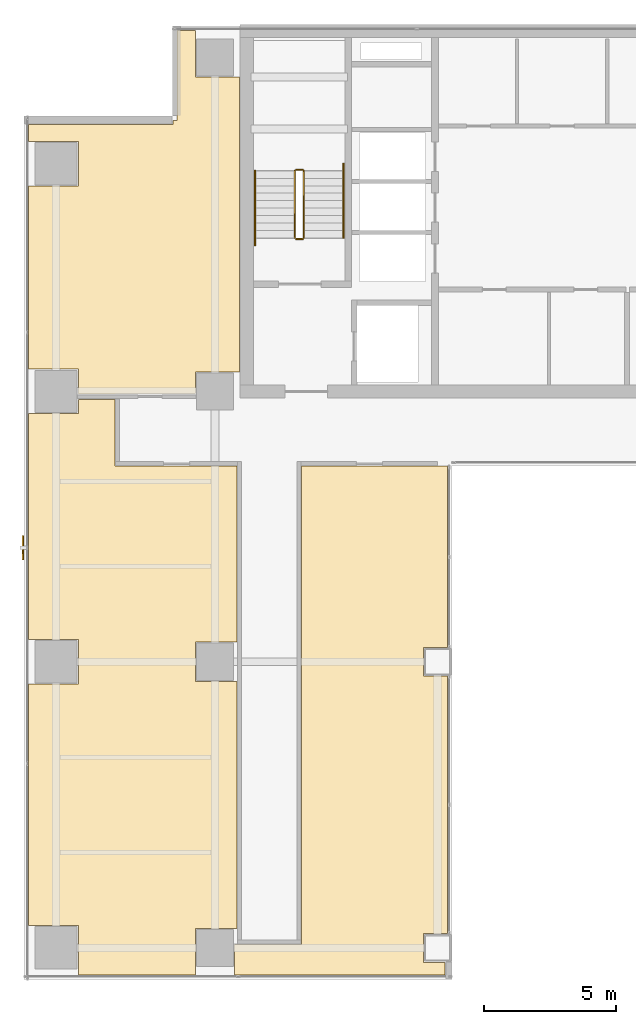
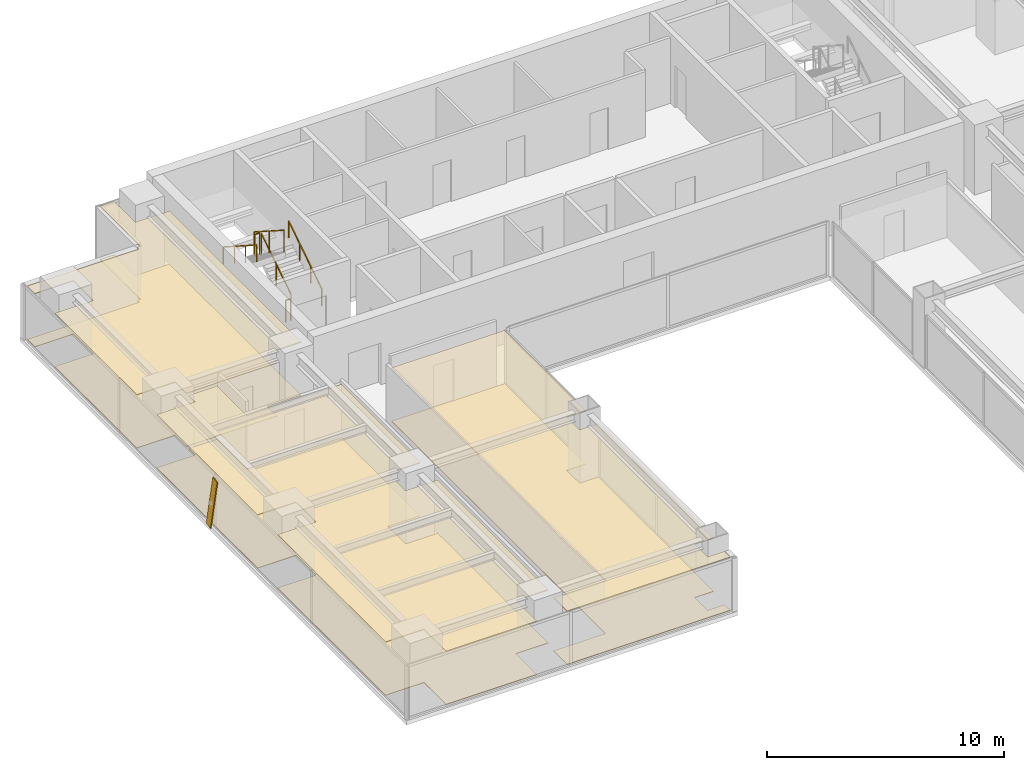
# One storey, part 26 of 28: 6 coverings, 6 railings, 1 shading device.
"""IFC4 building model written with IfcOpenShell, lengths in metres."""

from ifc_helpers import new_model, si_unit, direction, frame, origin, origin_2d, place, context, subcontext, project, spatial, polyline, rectangle, outline, extrude, source, transform, mapped, material, layer, layer_set, material_profile, profile_set, type_object, element, save


model = new_model("IFC4")

# Units and contexts
model_context = context("Model", 3, precision=1e-05, world=origin(), true_north=direction((0.0, 1.0)))
body_context = subcontext(model_context, "Body", "Model", "MODEL_VIEW")
ifc_project = project(units=[si_unit("LENGTHUNIT", "METRE"), si_unit("AREAUNIT", "SQUARE_METRE"), si_unit("VOLUMEUNIT", "CUBIC_METRE"), si_unit("PLANEANGLEUNIT", "RADIAN"), si_unit("MASSUNIT", "GRAM", prefix="KILO")], contexts=[model_context])

# Site, building, storey
site_placement = place(None, origin())
site = spatial("IfcSite", under=ifc_project, at=site_placement, CompositionType="ELEMENT")
building_placement = place(site_placement, origin())
building = spatial("IfcBuilding", under=site, at=building_placement, Name="Sumidabori Civic Tower", CompositionType="ELEMENT")
storey_placement = place(building_placement, frame((0.0, 0.0, 210.800048828125)))
storey = spatial("IfcBuildingStorey", under=building, at=storey_placement, Name="L54", CompositionType="ELEMENT", Elevation=210.800048828125)

# Coverings
ifc_material_1 = material(Name="Perforated Timber Acoustic Ceiling", Category="wood")
ifc_layer_1 = layer(ifc_material_1, 0.044921875, Name="Perforated Timber Acoustic Ceiling")
ifc_layer_set_1 = layer_set([ifc_layer_1], Name="Perforated Timber Acoustic Ceiling")
covering_type_1 = type_object("IfcCoveringType", Name="CV-CEIL-AC2", PredefinedType="CEILING", material=ifc_layer_set_1)
covering_1_placement = place(storey_placement, frame((0.0, 0.0, 2.72998046875)))
element("IfcCovering", 1, at=covering_1_placement, inside=storey, type_object=covering_type_1, Name="Room Acoustic Ceiling L54-01", PredefinedType="CEILING", context=body_context, shape_type="SweptSolid", body=[
    extrude(outline(polyline([(-23.830078125, 17.9599609375), (-21.9599609375, 17.9599609375), (-21.9599609375, 19.639892578125), (-23.830078125, 19.639892578125), (-23.830078125, 20.27197265625), (-18.39208984375, 20.27197265625), (-18.39208984375, 20.429931640625), (-18.22998046875, 20.429931640625), (-18.22998046875, 23.830078125), (-17.5400390625, 23.830078125), (-17.5400390625, 22.06005859375), (-15.8779296875, 22.06005859375), (-15.8779296875, 10.93994140625), (-17.5400390625, 10.93994140625), (-17.5400390625, 10.1201171875), (-20.570068359375, 10.1201171875), (-20.570068359375, 10.094970703125), (-21.9599609375, 10.094970703125), (-21.9599609375, 11.0400390625), (-23.830078125, 11.0400390625), (-23.830078125, 17.9599609375)])), origin(), (0.0, 0.0, 1.0), 0.044921875),
])
covering_2_placement = place(storey_placement, frame((0.0, 0.0, 2.72998046875)))
element("IfcCovering", 2, at=covering_2_placement, inside=storey, type_object=covering_type_1, Name="Room Acoustic Ceiling L54-03", PredefinedType="CEILING", context=body_context, shape_type="SweptSolid", body=[
    extrude(outline(polyline([(-23.830078125, -0.840087890625), (-21.9599609375, -0.840087890625), (-21.9599609375, 0.840087890625), (-23.830078125, 0.840087890625), (-23.830078125, 9.360107421875), (-21.9599609375, 9.360107421875), (-21.9599609375, 9.905029296875), (-20.570068359375, 9.905029296875), (-20.570068359375, 7.3798828125), (-15.969970703125, 7.3798828125), (-15.969970703125, 0.739990234375), (-17.5400390625, 0.739990234375), (-17.5400390625, -0.739990234375), (-15.969970703125, -0.739990234375), (-15.969970703125, -10.06005859375), (-17.5400390625, -10.06005859375), (-17.5400390625, -11.830078125), (-21.9599609375, -11.830078125), (-21.9599609375, -9.9599609375), (-23.830078125, -9.9599609375), (-23.830078125, -0.840087890625)])), origin(), (0.0, 0.0, 1.0), 0.044921875),
])
covering_3_placement = place(storey_placement, frame((0.0, 0.0, 2.72998046875)))
element("IfcCovering", 3, at=covering_3_placement, inside=storey, type_object=covering_type_1, Name="Room Acoustic Ceiling L54-05", PredefinedType="CEILING", context=body_context, shape_type="SweptSolid", body=[
    extrude(outline(polyline([(-16.06005859375, -10.669921875), (-13.530029296875, -10.669921875), (-13.530029296875, 7.3798828125), (-8.02001953125, 7.3798828125), (-8.02001953125, 0.5400390625), (-8.93994140625, 0.5400390625), (-8.93994140625, -0.5400390625), (-8.02001953125, -0.5400390625), (-8.02001953125, -10.260009765625), (-8.93994140625, -10.260009765625), (-8.93994140625, -11.340087890625), (-8.117919921875, -11.341796875), (-8.117919921875, -11.830078125), (-16.06005859375, -11.830078125), (-16.06005859375, -10.669921875)])), origin(), (0.0, 0.0, 1.0), 0.044921875),
])
ifc_material_2 = material(Name="Honed Terrazzo Tile Flooring")
ifc_layer_2 = layer(ifc_material_2, 0.030029296875, Name="Honed Terrazzo Tile Flooring")
ifc_layer_set_2 = layer_set([ifc_layer_2], Name="Honed Terrazzo Tile Flooring")
covering_type_2 = type_object("IfcCoveringType", Name="CV-FLR-TER", PredefinedType="FLOORING", material=ifc_layer_set_2)
covering_4_placement = place(storey_placement, origin())
element("IfcCovering", 4, at=covering_4_placement, inside=storey, type_object=covering_type_2, Name="Room Terrazzo Floor L54-01", PredefinedType="FLOORING", context=body_context, shape_type="SweptSolid", body=[
    extrude(outline(polyline([(-23.830078125, 17.9599609375), (-21.9599609375, 17.9599609375), (-21.9599609375, 19.639892578125), (-23.830078125, 19.639892578125), (-23.830078125, 20.27197265625), (-18.39208984375, 20.27197265625), (-18.39208984375, 20.429931640625), (-18.22998046875, 20.429931640625), (-18.22998046875, 23.830078125), (-17.5400390625, 23.830078125), (-17.5400390625, 22.06005859375), (-15.8779296875, 22.06005859375), (-15.8779296875, 10.93994140625), (-17.5400390625, 10.93994140625), (-17.5400390625, 10.1201171875), (-20.570068359375, 10.1201171875), (-20.570068359375, 10.094970703125), (-21.9599609375, 10.094970703125), (-21.9599609375, 11.0400390625), (-23.830078125, 11.0400390625), (-23.830078125, 17.9599609375)])), origin(), (0.0, 0.0, 1.0), 0.030029296875),
])
covering_5_placement = place(storey_placement, origin())
element("IfcCovering", 5, at=covering_5_placement, inside=storey, type_object=covering_type_2, Name="Room Terrazzo Floor L54-03", PredefinedType="FLOORING", context=body_context, shape_type="SweptSolid", body=[
    extrude(outline(polyline([(-23.830078125, -0.840087890625), (-21.9599609375, -0.840087890625), (-21.9599609375, 0.840087890625), (-23.830078125, 0.840087890625), (-23.830078125, 9.360107421875), (-21.9599609375, 9.360107421875), (-21.9599609375, 9.905029296875), (-20.570068359375, 9.905029296875), (-20.570068359375, 7.3798828125), (-15.969970703125, 7.3798828125), (-15.969970703125, 0.739990234375), (-17.5400390625, 0.739990234375), (-17.5400390625, -0.739990234375), (-15.969970703125, -0.739990234375), (-15.969970703125, -10.06005859375), (-17.5400390625, -10.06005859375), (-17.5400390625, -11.830078125), (-21.9599609375, -11.830078125), (-21.9599609375, -9.9599609375), (-23.830078125, -9.9599609375), (-23.830078125, -0.840087890625)])), origin(), (0.0, 0.0, 1.0), 0.030029296875),
])
covering_6_placement = place(storey_placement, origin())
element("IfcCovering", 6, at=covering_6_placement, inside=storey, type_object=covering_type_2, Name="Room Terrazzo Floor L54-05", PredefinedType="FLOORING", context=body_context, shape_type="SweptSolid", body=[
    extrude(outline(polyline([(-16.06005859375, -10.669921875), (-13.530029296875, -10.669921875), (-13.530029296875, 7.3798828125), (-8.02001953125, 7.3798828125), (-8.02001953125, 0.5400390625), (-8.93994140625, 0.5400390625), (-8.93994140625, -0.5400390625), (-8.02001953125, -0.5400390625), (-8.02001953125, -10.260009765625), (-8.93994140625, -10.260009765625), (-8.93994140625, -11.340087890625), (-8.117919921875, -11.341796875), (-8.117919921875, -11.830078125), (-16.06005859375, -11.830078125), (-16.06005859375, -10.669921875)])), origin(), (0.0, 0.0, 1.0), 0.030029296875),
])

# Railings
ifc_material_3 = material(Name="Stainless Steel Hairline Finish", Category="steel")
railing_type_1 = type_object("IfcRailingType", Name="RL-HANDRAIL", PredefinedType="HANDRAIL", material=ifc_material_3)
railing_1_placement = place(storey_placement, frame((-11.949951171875, 16.0, 0.179931640625)))
element("IfcRailing", 7, at=railing_1_placement, inside=storey, type_object=railing_type_1, Name="L54 ST-1 stair handrail 1", PredefinedType="HANDRAIL", context=body_context, shape_type="SweptSolid", body=[
    extrude(rectangle(XDim=0.048095703125, YDim=0.048095703125, at=origin_2d()), frame((0.0, 0.0, 0.8759765625), z_axis=(0.0, 0.840675598268, 0.541539046124), x_axis=(-1.0, 0.0, 0.0)), (0.0, 0.0, 1.0), 3.330810546875),
    extrude(rectangle(XDim=0.0419921875, YDim=0.0419921875, at=origin_2d()), origin(), (0.0, 0.0, 1.0), 0.851806640625),
    extrude(rectangle(XDim=0.0419921875, YDim=0.0419921875, at=origin_2d()), frame((0.0, 0.933349609375, 0.601318359375)), (0.0, 0.0, 1.0), 0.851806640625),
    extrude(rectangle(XDim=0.0419921875, YDim=0.0419921875, at=origin_2d()), frame((0.0, 1.86669921875, 1.202392578125)), (0.0, 0.0, 1.0), 0.851806640625),
    extrude(rectangle(XDim=0.0419921875, YDim=0.0419921875, at=origin_2d()), frame((0.0, 2.800048828125, 1.8037109375)), (0.0, 0.0, 1.0), 0.851806640625),
])
railing_2_placement = place(storey_placement, frame((-15.2900390625, 18.52001953125, 1.97998046875)))
element("IfcRailing", 8, at=railing_2_placement, inside=storey, type_object=railing_type_1, Name="L54 ST-1 stair handrail 2", PredefinedType="HANDRAIL", context=body_context, shape_type="SweptSolid", body=[
    extrude(rectangle(XDim=0.048095703125, YDim=0.048095703125, at=origin_2d()), frame((0.0, 0.0, 0.8759765625), z_axis=(0.0, -0.840675598268, 0.541539046124), x_axis=(1.0, 0.0, 0.0)), (0.0, 0.0, 1.0), 3.330810546875),
    extrude(rectangle(XDim=0.0419921875, YDim=0.0419921875, at=origin_2d()), origin(), (0.0, 0.0, 1.0), 0.851806640625),
    extrude(rectangle(XDim=0.0419921875, YDim=0.0419921875, at=origin_2d()), frame((0.0, -0.933349609375, 0.601318359375)), (0.0, 0.0, 1.0), 0.851806640625),
    extrude(rectangle(XDim=0.0419921875, YDim=0.0419921875, at=origin_2d()), frame((0.0, -1.86669921875, 1.202392578125)), (0.0, 0.0, 1.0), 0.851806640625),
    extrude(rectangle(XDim=0.0419921875, YDim=0.0419921875, at=origin_2d()), frame((0.0, -2.800048828125, 1.8037109375)), (0.0, 0.0, 1.0), 0.851806640625),
])
ifc_material_4 = material(Name="Steel SN490", Category="steel")
railing_type_2 = type_object("IfcRailingType", Name="RL-STAIR-GUARD", PredefinedType="GUARDRAIL", material=ifc_material_4)
railing_3_placement = place(storey_placement, frame((-13.449951171875, 16.0, 0.179931640625)))
element("IfcRailing", 9, at=railing_3_placement, inside=storey, type_object=railing_type_2, Name="L54 ST-1 stair guard 1", PredefinedType="GUARDRAIL", context=body_context, shape_type="SweptSolid", body=[
    extrude(rectangle(XDim=0.048095703125, YDim=0.048095703125, at=origin_2d()), frame((0.0, 0.0, 1.1259765625), z_axis=(0.0, 0.841162588446, 0.540782303519), x_axis=(-1.0, 0.0, 0.0)), (0.0, 0.0, 1.0), 2.995849609375),
    extrude(rectangle(XDim=0.0419921875, YDim=0.0419921875, at=origin_2d()), origin(), (0.0, 0.0, 1.0), 1.101806640625),
    extrude(rectangle(XDim=0.0419921875, YDim=0.0419921875, at=origin_2d()), frame((0.0, 1.260009765625, 0.81005859375)), (0.0, 0.0, 1.0), 1.101806640625),
    extrude(rectangle(XDim=0.0419921875, YDim=0.0419921875, at=origin_2d()), frame((0.0, 2.52001953125, 1.6201171875)), (0.0, 0.0, 1.0), 1.101806640625),
])
railing_4_placement = place(storey_placement, frame((-13.5, 18.570068359375, 1.800048828125)))
element("IfcRailing", 10, at=railing_4_placement, inside=storey, type_object=railing_type_2, Name="L54 ST-1 stair guard 2", PredefinedType="GUARDRAIL", context=body_context, shape_type="SweptSolid", body=[
    extrude(rectangle(XDim=0.048095703125, YDim=0.048095703125, at=origin_2d()), frame((0.0, 0.0, 1.1259765625), z_axis=(-1.0, 0.0, 0.0), x_axis=(0.0, -1.0, 0.0)), (0.0, 0.0, 1.0), 0.239990234375),
    extrude(rectangle(XDim=0.0419921875, YDim=0.0419921875, at=origin_2d()), origin(), (0.0, 0.0, 1.0), 1.101806640625),
    extrude(rectangle(XDim=0.0419921875, YDim=0.0419921875, at=origin_2d()), frame((-0.239990234375, 0.0, 0.0)), (0.0, 0.0, 1.0), 1.101806640625),
])
railing_5_placement = place(storey_placement, frame((-13.7900390625, 18.52001953125, 1.97998046875)))
element("IfcRailing", 11, at=railing_5_placement, inside=storey, type_object=railing_type_2, Name="L54 ST-1 stair guard 3", PredefinedType="GUARDRAIL", context=body_context, shape_type="SweptSolid", body=[
    extrude(rectangle(XDim=0.048095703125, YDim=0.048095703125, at=origin_2d()), frame((0.0, 0.0, 1.1259765625), z_axis=(0.0, -0.841199657755, 0.540724639528), x_axis=(1.0, 0.0, 0.0)), (0.0, 0.0, 1.0), 2.995849609375),
    extrude(rectangle(XDim=0.0419921875, YDim=0.0419921875, at=origin_2d()), origin(), (0.0, 0.0, 1.0), 1.101806640625),
    extrude(rectangle(XDim=0.0419921875, YDim=0.0419921875, at=origin_2d()), frame((0.0, -1.260009765625, 0.81005859375)), (0.0, 0.0, 1.0), 1.101806640625),
    extrude(rectangle(XDim=0.0419921875, YDim=0.0419921875, at=origin_2d()), frame((0.0, -2.52001953125, 1.619873046875)), (0.0, 0.0, 1.0), 1.101806640625),
])
railing_6_placement = place(storey_placement, frame((-13.5, 15.949951171875, 0.0)))
element("IfcRailing", 12, at=railing_6_placement, inside=storey, type_object=railing_type_2, Name="L54 ST-1 stair guard 4", PredefinedType="GUARDRAIL", context=body_context, shape_type="SweptSolid", body=[
    extrude(rectangle(XDim=0.048095703125, YDim=0.048095703125, at=origin_2d()), frame((0.0, 0.0, 1.1259765625), z_axis=(-1.0, 0.0, 0.0), x_axis=(0.0, -1.0, 0.0)), (0.0, 0.0, 1.0), 0.239990234375),
    extrude(rectangle(XDim=0.0419921875, YDim=0.0419921875, at=origin_2d()), origin(), (0.0, 0.0, 1.0), 1.101806640625),
    extrude(rectangle(XDim=0.0419921875, YDim=0.0419921875, at=origin_2d()), frame((-0.239990234375, 0.0, 0.0)), (0.0, 0.0, 1.0), 1.101806640625),
])

# Shading device
ifc_material_5 = material(Name="Anodised Bronze Aluminium AW-6063-T6", Category="aluminium")
ifc_material_profile = material_profile(ifc_material_5, rectangle(XDim=0.054931640625, YDim=0.360107421875, at=origin_2d()), Name="BRONZE FIN 360x55")
ifc_profile_set = profile_set([ifc_material_profile], Name="Anodised Bronze Aluminium AW-6063-T6")
shading_device_type = type_object("IfcShadingDeviceType", Name="SH-FIN-360", PredefinedType="USERDEFINED", material=ifc_profile_set)
shared_shape = source(origin(), body_context, "Body", "SweptSolid", [
    extrude(rectangle(XDim=0.054931640625, YDim=0.360107421875, at=origin_2d()), origin(), (0.0, 0.0, 1.0), 2.75732421875),
])
shading_device_placement = place(storey_placement, frame((-24.050048828125, 4.580078125, 0.02001953125), z_axis=(0.0, -0.203109150817, 0.979156102393), x_axis=(-1.0, 0.0, 0.0)))
element("IfcShadingDevice", 13, at=shading_device_placement, inside=storey, type_object=shading_device_type, Name="Bronze Anodised Diagonal Fin L54-02", ObjectType="FIN", PredefinedType="USERDEFINED", context=body_context, shape_type="MappedRepresentation", body=[
    mapped(shared_shape, transform((0.0, 0.0, 0.0), x_axis=(1.0, 0.0, 0.0), y_axis=(0.0, 1.0, 0.0), z_axis=(0.0, 0.0, 1.0), scale=1.0)),
])

save(model, "model.ifc")
